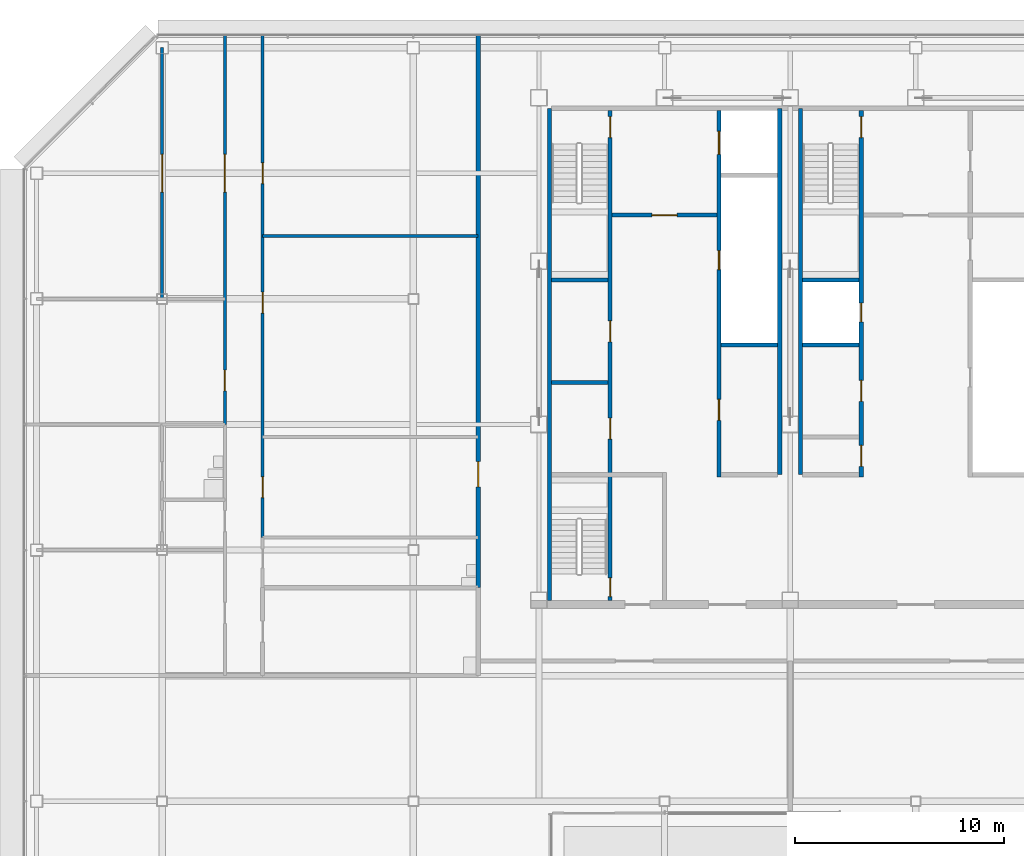
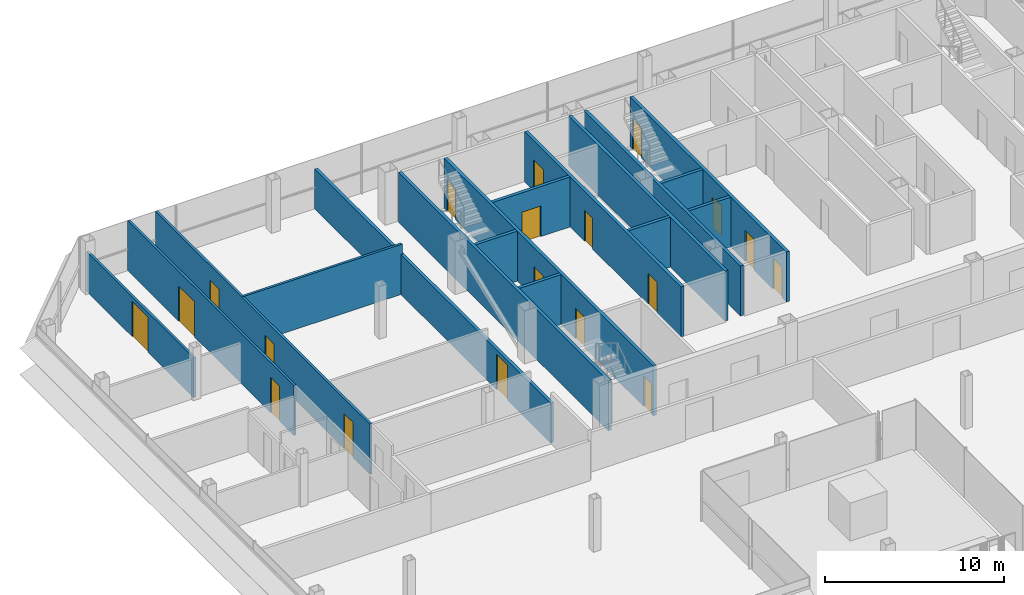
# One storey, part 21 of 27: 19 doors, 17 walls, 19 openings.
"""IFC4 building model written with IfcOpenShell, lengths in metres."""

from ifc_helpers import new_model, si_unit, direction, frame, frame_2d, origin, place, context, subcontext, project, spatial, rectangle, extrude, material, layer, layer_set, type_object, element, fill, save


model = new_model("IFC4")

# Units and contexts
model_context = context("Model", 3, precision=1e-05, world=origin(), true_north=direction((0.0, 1.0)))
body_context = subcontext(model_context, "Body", "Model", "MODEL_VIEW")
ifc_project = project(units=[si_unit("LENGTHUNIT", "METRE"), si_unit("AREAUNIT", "SQUARE_METRE"), si_unit("VOLUMEUNIT", "CUBIC_METRE"), si_unit("PLANEANGLEUNIT", "RADIAN"), si_unit("MASSUNIT", "GRAM", prefix="KILO")], contexts=[model_context])

# Site, building, storey
site_placement = place(None, origin())
site = spatial("IfcSite", under=ifc_project, at=site_placement, CompositionType="ELEMENT")
building_placement = place(site_placement, origin())
building = spatial("IfcBuilding", under=site, at=building_placement, Name="Sorahane Residences", CompositionType="ELEMENT")
storey_placement = place(building_placement, frame((0.0, 0.0, 298.0)))
storey = spatial("IfcBuildingStorey", under=building, at=storey_placement, Name="L70", CompositionType="ELEMENT", Elevation=298.0)

# Walls
ifc_material_1 = material(Name="Concrete C30", Category="concrete")
ifc_layer_1 = layer(ifc_material_1, 0.199951171875)
ifc_layer_set_1 = layer_set([ifc_layer_1], Name="Core face wall 200 EI 180")
wall_type_1 = type_object("IfcWallType", Name="Core face wall 200 EI 180", PredefinedType="SOLIDWALL", material=ifc_layer_set_1)
wall_1_placement = place(storey_placement, frame((6.5, 21.60009765625, 0.0), z_axis=(0.0, 0.0, 1.0), x_axis=(0.0, 1.0, 0.0)))
element("IfcWall", 1, at=wall_1_placement, inside=storey, type_object=wall_type_1, Name="L70 core face wall", PredefinedType="SOLIDWALL", context=body_context, shape_type="SweptSolid", body=[
    extrude(rectangle(XDim=23.5, YDim=0.199951171875, at=frame_2d((11.75, 0.0))), origin(), (0.0, 0.0, 1.0), 3.419921875),
])
for number, where, z_axis, x_axis, name in (
    (2, (17.5, 27.60009765625, 0.0), (0.0, 0.0, 1.0), (0.0, 1.0, 0.0), "L70 core face wall"),
    (3, (18.5, 27.60009765625, 0.0), (0.0, 0.0, 1.0), (0.0, 1.0, 0.0), "L70 core face wall"),
):
    element("IfcWall", number, at=place(storey_placement, frame(where, z_axis=z_axis, x_axis=x_axis)), inside=storey, type_object=wall_type_1, Name=name, PredefinedType="SOLIDWALL", context=body_context, shape_type="SweptSolid", body=[
        extrude(rectangle(XDim=17.5, YDim=0.199951171875, at=frame_2d((8.75, 0.0))), origin(), (0.0, 0.0, 1.0), 3.419921875),
    ])

# Wall, opening, door
ifc_material_2 = material(Name="Concrete blockwork C20 wall", Category="masonry")
ifc_layer_2 = layer(ifc_material_2, 0.199951171875)
ifc_layer_set_2 = layer_set([ifc_layer_2], Name="Corridor wall 200 EI 120")
wall_type_2 = type_object("IfcWallType", Name="Corridor wall 200 EI 120", PredefinedType="SOLIDWALL", material=ifc_layer_set_2)
wall_2_placement = place(storey_placement, frame((3.10009765625, 22.199951171875, 0.0), z_axis=(0.0, 0.0, 1.0), x_axis=(0.0, 1.0, 0.0)))
wall_2 = element("IfcWall", 4, at=wall_2_placement, inside=storey, type_object=wall_type_2, Name="L70 corridor wall", PredefinedType="SOLIDWALL", context=body_context, shape_type="SweptSolid", body=[
    extrude(rectangle(XDim=26.400146484375, YDim=0.199951171875, at=frame_2d((13.2001953125, 0.0))), origin(), (0.0, 0.0, 1.0), 2.719970703125),
])
opening_1_placement = place(wall_2_placement, frame((4.820068359375, 0.0, 0.0)))
opening_1 = element("IfcOpeningElement", 5, at=opening_1_placement, cuts=wall_2, Name="Opening L70-13", PredefinedType="OPENING", context=body_context, shape_type="SweptSolid", body=[
    extrude(rectangle(XDim=1.199951171875, YDim=2.39990234375, at=frame_2d((0.60009765625, 1.199951171875))), frame((0.0, 0.10986328125, 0.0), z_axis=(0.0, -1.0, 0.0), x_axis=(1.0, 0.0, 0.0)), (0.0, 0.0, 1.0), 0.219970703125),
])
ifc_material_3 = material(Name="Timber veneered fire door", Category="wood")
door_type_1 = type_object("IfcDoorType", Name="Flat entrance door 1200x2400 FD60", OperationType="NOTDEFINED", PredefinedType="DOOR", material=ifc_material_3)
door_1_placement = place(opening_1_placement, origin())
door_1 = element("IfcDoor", 6, at=door_1_placement, inside=storey, type_object=door_type_1, Name="Flat entrance door L70-13", OperationType="SINGLE_SWING_RIGHT", OverallHeight=2.39990234375, OverallWidth=1.199951171875, PredefinedType="DOOR", context=body_context, shape_type="SweptSolid", body=[
    extrude(rectangle(XDim=1.199951171875, YDim=2.39990234375, at=frame_2d((0.60009765625, 1.199951171875))), frame((0.0, 0.02490234375, 0.0), z_axis=(0.0, -1.0, 0.0), x_axis=(1.0, 0.0, 0.0)), (0.0, 0.0, 1.0), 0.050048828125),
])
fill(opening_1, door_1)

ifc_material_4 = material(Name="Concrete C30", Category="concrete")
ifc_layer_3 = layer(ifc_material_4, 0.199951171875)
ifc_layer_set_3 = layer_set([ifc_layer_3], Name="Front room wall 200 EI 120")
wall_type_3 = type_object("IfcWallType", Name="Front room wall 200 EI 120", PredefinedType="PARTITIONING", material=ifc_layer_set_3)
wall_3_placement = place(storey_placement, frame((9.5, 40.0, 0.0), z_axis=(0.0, 0.0, 1.0), x_axis=(1.0, 0.0, 0.0)))
wall_3 = element("IfcWall", 7, at=wall_3_placement, inside=storey, type_object=wall_type_3, Name="L70 front room wall", PredefinedType="PARTITIONING", context=body_context, shape_type="SweptSolid", body=[
    extrude(rectangle(XDim=5.0, YDim=0.199951171875, at=frame_2d((2.5, 0.0))), origin(), (0.0, 0.0, 1.0), 3.419921875),
])
opening_2_placement = place(wall_3_placement, frame((1.89990234375, 0.0, 0.0)))
opening_2 = element("IfcOpeningElement", 8, at=opening_2_placement, cuts=wall_3, Name="Opening L70-C06", PredefinedType="OPENING", context=body_context, shape_type="SweptSolid", body=[
    extrude(rectangle(XDim=1.199951171875, YDim=2.10009765625, at=frame_2d((0.60009765625, 1.050048828125))), frame((0.0, 0.10986328125, 0.0), z_axis=(0.0, -1.0, 0.0), x_axis=(1.0, 0.0, 0.0)), (0.0, 0.0, 1.0), 0.219970703125),
])
ifc_material_5 = material(Name="Steel", Category="steel")
door_type_2 = type_object("IfcDoorType", Name="Front room door 1200x2100 FD120", OperationType="NOTDEFINED", PredefinedType="DOOR", material=ifc_material_5)
door_2_placement = place(opening_2_placement, frame((1.199951171875, 0.0, 0.0), z_axis=(0.0, 0.0, 1.0), x_axis=(-1.0, 0.0, 0.0)))
door_2 = element("IfcDoor", 9, at=door_2_placement, inside=storey, type_object=door_type_2, Name="Front room door Firefighting lobby FF1 front room L70", OperationType="DOUBLE_DOOR_SINGLE_SWING", OverallHeight=2.10009765625, OverallWidth=1.199951171875, PredefinedType="DOOR", context=body_context, shape_type="SweptSolid", body=[
    extrude(rectangle(XDim=1.199951171875, YDim=2.10009765625, at=frame_2d((0.60009765625, 1.050048828125))), frame((0.0, 0.02490234375, 0.0), z_axis=(0.0, -1.0, 0.0), x_axis=(1.0, 0.0, 0.0)), (0.0, 0.0, 1.0), 0.050048828125),
])
fill(opening_2, door_2)

# Wall, openings, doors
ifc_material_6 = material(Name="Concrete C30", Category="concrete")
ifc_layer_4 = layer(ifc_material_6, 0.199951171875)
ifc_layer_set_4 = layer_set([ifc_layer_4], Name="Lift shaft wall 200 EI 120")
wall_type_4 = type_object("IfcWallType", Name="Lift shaft wall 200 EI 120", PredefinedType="SOLIDWALL", material=ifc_layer_set_4)
wall_4_placement = place(storey_placement, frame((14.60009765625, 27.5, 0.0), z_axis=(0.0, 0.0, 1.0), x_axis=(0.0, 1.0, 0.0)))
wall_4 = element("IfcWall", 10, at=wall_4_placement, inside=storey, type_object=wall_type_4, Name="L70 lift shaft wall", PredefinedType="SOLIDWALL", context=body_context, shape_type="SweptSolid", body=[
    extrude(rectangle(XDim=17.5, YDim=0.199951171875, at=frame_2d((8.75, 0.0))), origin(), (0.0, 0.0, 1.0), 3.419921875),
])
opening_3_placement = place(wall_4_placement, frame((15.39990234375, 0.0, 0.0)))
opening_3 = element("IfcOpeningElement", 11, at=opening_3_placement, cuts=wall_4, Name="Opening L70-C15", PredefinedType="OPENING", context=body_context, shape_type="SweptSolid", body=[
    extrude(rectangle(XDim=1.10009765625, YDim=2.10009765625, at=frame_2d((0.550048828125, 1.050048828125))), frame((0.0, 0.10986328125, 0.0), z_axis=(0.0, -1.0, 0.0), x_axis=(1.0, 0.0, 0.0)), (0.0, 0.0, 1.0), 0.219970703125),
])
opening_4_placement = place(wall_4_placement, frame((2.699951171875, 0.0, 0.0)))
opening_4 = element("IfcOpeningElement", 12, at=opening_4_placement, cuts=wall_4, Name="Opening L70-C18", PredefinedType="OPENING", context=body_context, shape_type="SweptSolid", body=[
    extrude(rectangle(XDim=1.0, YDim=2.10009765625, at=frame_2d((0.5, 1.050048828125))), frame((0.0, 0.10986328125, 0.0), z_axis=(0.0, -1.0, 0.0), x_axis=(1.0, 0.0, 0.0)), (0.0, 0.0, 1.0), 0.219970703125),
])
opening_5_placement = place(wall_4_placement, frame((9.89990234375, 0.0, 0.0)))
opening_5 = element("IfcOpeningElement", 13, at=opening_5_placement, cuts=wall_4, Name="Opening L70-C26", PredefinedType="OPENING", context=body_context, shape_type="SweptSolid", body=[
    extrude(rectangle(XDim=0.89990234375, YDim=2.10009765625, at=frame_2d((0.449951171875, 1.050048828125))), frame((0.0, 0.10986328125, 0.0), z_axis=(0.0, -1.0, 0.0), x_axis=(1.0, 0.0, 0.0)), (0.0, 0.0, 1.0), 0.219970703125),
])
ifc_material_7 = material(Name="Aluminium and stainless steel", Category="steel")
door_type_3 = type_object("IfcDoorType", Name="Lift landing door 1100x2100 E 60", OperationType="NOTDEFINED", PredefinedType="DOOR", material=ifc_material_7)
door_3_placement = place(opening_3_placement, origin())
door_3 = element("IfcDoor", 14, at=door_3_placement, inside=storey, type_object=door_type_3, Name="Lift landing door FF1 L70", OperationType="DOUBLE_DOOR_SLIDING", OverallHeight=2.10009765625, OverallWidth=1.10009765625, PredefinedType="DOOR", context=body_context, shape_type="SweptSolid", body=[
    extrude(rectangle(XDim=1.10009765625, YDim=2.10009765625, at=frame_2d((0.550048828125, 1.050048828125))), frame((0.0, 0.02490234375, 0.0), z_axis=(0.0, -1.0, 0.0), x_axis=(1.0, 0.0, 0.0)), (0.0, 0.0, 1.0), 0.050048828125),
])
fill(opening_3, door_3)
ifc_material_8 = material(Name="Steel", Category="steel")
door_type_4 = type_object("IfcDoorType", Name="Riser door 900x2100 FD120", OperationType="NOTDEFINED", PredefinedType="DOOR", material=ifc_material_8)
door_4_placement = place(opening_5_placement, origin())
door_4 = element("IfcDoor", 15, at=door_4_placement, inside=storey, type_object=door_type_4, Name="Riser door R1 L70", OperationType="SINGLE_SWING_LEFT", OverallHeight=2.10009765625, OverallWidth=0.89990234375, PredefinedType="DOOR", context=body_context, shape_type="SweptSolid", body=[
    extrude(rectangle(XDim=0.89990234375, YDim=2.10009765625, at=frame_2d((0.449951171875, 1.050048828125))), frame((0.0, 0.02490234375, 0.0), z_axis=(0.0, -1.0, 0.0), x_axis=(1.0, 0.0, 0.0)), (0.0, 0.0, 1.0), 0.050048828125),
])
fill(opening_5, door_4)
ifc_material_9 = material(Name="Steel", Category="steel")
door_type_5 = type_object("IfcDoorType", Name="Service room door 1000x2100 FD60", OperationType="NOTDEFINED", PredefinedType="DOOR", material=ifc_material_9)
door_5_placement = place(opening_4_placement, frame((1.0, 0.0, 0.0), z_axis=(0.0, 0.0, 1.0), x_axis=(-1.0, 0.0, 0.0)))
door_5 = element("IfcDoor", 16, at=door_5_placement, inside=storey, type_object=door_type_5, Name="Service room door Library L70", OperationType="SINGLE_SWING_RIGHT", OverallHeight=2.10009765625, OverallWidth=1.0, PredefinedType="DOOR", context=body_context, shape_type="SweptSolid", body=[
    extrude(rectangle(XDim=1.0, YDim=2.10009765625, at=frame_2d((0.5, 1.050048828125))), frame((0.0, 0.02490234375, 0.0), z_axis=(0.0, -1.0, 0.0), x_axis=(1.0, 0.0, 0.0)), (0.0, 0.0, 1.0), 0.050048828125),
])
fill(opening_4, door_5)

# Wall, opening, door
ifc_material_10 = material(Name="Gypsum board partition on steel studs", Category="steel")
ifc_layer_5 = layer(ifc_material_10, 0.14990234375)
ifc_layer_set_5 = layer_set([ifc_layer_5], Name="Partition 150 EI 90")
wall_type_5 = type_object("IfcWallType", Name="Partition 150 EI 90", PredefinedType="PARTITIONING", material=ifc_layer_set_5)
wall_5_placement = place(storey_placement, frame((-12.0, 36.0, 0.0), z_axis=(0.0, 0.0, 1.0), x_axis=(0.0, 1.0, 0.0)))
wall_5 = element("IfcWall", 17, at=wall_5_placement, inside=storey, type_object=wall_type_5, Name="L70 partition", PredefinedType="PARTITIONING", context=body_context, shape_type="SweptSolid", body=[
    extrude(rectangle(XDim=12.0, YDim=0.14990234375, at=frame_2d((6.0, 0.0))), origin(), (0.0, 0.0, 1.0), 2.719970703125),
])
opening_6_placement = place(wall_5_placement, frame((5.10009765625, 0.0, 0.0)))
opening_6 = element("IfcOpeningElement", 18, at=opening_6_placement, cuts=wall_5, Name="Opening L70-12", PredefinedType="OPENING", context=body_context, shape_type="SweptSolid", body=[
    extrude(rectangle(XDim=1.800048828125, YDim=2.39990234375, at=frame_2d((0.89990234375, 1.199951171875))), frame((0.0, 0.0849609375, 0.0), z_axis=(0.0, -1.0, 0.0), x_axis=(1.0, 0.0, 0.0)), (0.0, 0.0, 1.0), 0.169921875),
])
ifc_material_11 = material(Name="Timber veneered fire door", Category="wood")
door_type_6 = type_object("IfcDoorType", Name="Double door 1800x2400 FD30", OperationType="NOTDEFINED", PredefinedType="DOOR", material=ifc_material_11)
door_6_placement = place(opening_6_placement, origin())
door_6 = element("IfcDoor", 19, at=door_6_placement, inside=storey, type_object=door_type_6, Name="Double door L70-12", OperationType="SINGLE_SWING_RIGHT", OverallHeight=2.39990234375, OverallWidth=1.800048828125, PredefinedType="DOOR", context=body_context, shape_type="SweptSolid", body=[
    extrude(rectangle(XDim=1.800048828125, YDim=2.39990234375, at=frame_2d((0.89990234375, 1.199951171875))), frame((0.0, 0.02490234375, 0.0), z_axis=(0.0, -1.0, 0.0), x_axis=(1.0, 0.0, 0.0)), (0.0, 0.0, 1.0), 0.050048828125),
])
fill(opening_6, door_6)

# Wall, openings, doors
wall_6_placement = place(storey_placement, frame((-7.199951171875, 24.60009765625, 0.0), z_axis=(0.0, 0.0, 1.0), x_axis=(0.0, 1.0, 0.0)))
wall_6 = element("IfcWall", 20, at=wall_6_placement, inside=storey, type_object=wall_type_5, Name="L70 partition", PredefinedType="PARTITIONING", context=body_context, shape_type="SweptSolid", body=[
    extrude(rectangle(XDim=24.0, YDim=0.14990234375, at=frame_2d((12.0, 0.0))), origin(), (0.0, 0.0, 1.0), 3.419921875),
])
opening_7_placement = place(wall_6_placement, frame((1.89990234375, 0.0, 0.0)))
opening_7 = element("IfcOpeningElement", 21, at=opening_7_placement, cuts=wall_6, Name="Opening L70-01", PredefinedType="OPENING", context=body_context, shape_type="SweptSolid", body=[
    extrude(rectangle(XDim=1.0, YDim=2.39990234375, at=frame_2d((0.5, 1.199951171875))), frame((0.0, 0.0849609375, 0.0), z_axis=(0.0, -1.0, 0.0), x_axis=(1.0, 0.0, 0.0)), (0.0, 0.0, 1.0), 0.169921875),
])
opening_8_placement = place(wall_6_placement, frame((10.719970703125, 0.0, 0.0)))
opening_8 = element("IfcOpeningElement", 22, at=opening_8_placement, cuts=wall_6, Name="Opening L70-04", PredefinedType="OPENING", context=body_context, shape_type="SweptSolid", body=[
    extrude(rectangle(XDim=1.0, YDim=2.39990234375, at=frame_2d((0.5, 1.199951171875))), frame((0.0, 0.0849609375, 0.0), z_axis=(0.0, -1.0, 0.0), x_axis=(1.0, 0.0, 0.0)), (0.0, 0.0, 1.0), 0.169921875),
])
opening_9_placement = place(wall_6_placement, frame((16.89990234375, 0.0, 0.0)))
opening_9 = element("IfcOpeningElement", 23, at=opening_9_placement, cuts=wall_6, Name="Opening L70-05", PredefinedType="OPENING", context=body_context, shape_type="SweptSolid", body=[
    extrude(rectangle(XDim=1.0, YDim=2.39990234375, at=frame_2d((0.5, 1.199951171875))), frame((0.0, 0.0849609375, 0.0), z_axis=(0.0, -1.0, 0.0), x_axis=(1.0, 0.0, 0.0)), (0.0, 0.0, 1.0), 0.169921875),
])
ifc_material_12 = material(Name="Timber veneered fire door", Category="wood")
door_type_7 = type_object("IfcDoorType", Name="Room door 1000x2400 FD30", OperationType="NOTDEFINED", PredefinedType="DOOR", material=ifc_material_12)
door_7_placement = place(opening_7_placement, origin())
door_7 = element("IfcDoor", 24, at=door_7_placement, inside=storey, type_object=door_type_7, Name="Room door L70-01", OperationType="SINGLE_SWING_RIGHT", OverallHeight=2.39990234375, OverallWidth=1.0, PredefinedType="DOOR", context=body_context, shape_type="SweptSolid", body=[
    extrude(rectangle(XDim=1.0, YDim=2.39990234375, at=frame_2d((0.5, 1.199951171875))), frame((0.0, 0.02490234375, 0.0), z_axis=(0.0, -1.0, 0.0), x_axis=(1.0, 0.0, 0.0)), (0.0, 0.0, 1.0), 0.050048828125),
])
fill(opening_7, door_7)
door_8_placement = place(opening_8_placement, frame((1.0, 0.0, 0.0), z_axis=(0.0, 0.0, 1.0), x_axis=(-1.0, 0.0, 0.0)))
door_8 = element("IfcDoor", 25, at=door_8_placement, inside=storey, type_object=door_type_7, Name="Room door L70-04", OperationType="SINGLE_SWING_LEFT", OverallHeight=2.39990234375, OverallWidth=1.0, PredefinedType="DOOR", context=body_context, shape_type="SweptSolid", body=[
    extrude(rectangle(XDim=1.0, YDim=2.39990234375, at=frame_2d((0.5, 1.199951171875))), frame((0.0, 0.02490234375, 0.0), z_axis=(0.0, -1.0, 0.0), x_axis=(1.0, 0.0, 0.0)), (0.0, 0.0, 1.0), 0.050048828125),
])
fill(opening_8, door_8)
door_9_placement = place(opening_9_placement, frame((1.0, 0.0, 0.0), z_axis=(0.0, 0.0, 1.0), x_axis=(-1.0, 0.0, 0.0)))
door_9 = element("IfcDoor", 26, at=door_9_placement, inside=storey, type_object=door_type_7, Name="Room door L70-05", OperationType="SINGLE_SWING_RIGHT", OverallHeight=2.39990234375, OverallWidth=1.0, PredefinedType="DOOR", context=body_context, shape_type="SweptSolid", body=[
    extrude(rectangle(XDim=1.0, YDim=2.39990234375, at=frame_2d((0.5, 1.199951171875))), frame((0.0, 0.02490234375, 0.0), z_axis=(0.0, -1.0, 0.0), x_axis=(1.0, 0.0, 0.0)), (0.0, 0.0, 1.0), 0.050048828125),
])
fill(opening_9, door_9)

wall_7_placement = place(storey_placement, frame((-9.0, 30.0, 0.0), z_axis=(0.0, 0.0, 1.0), x_axis=(0.0, 1.0, 0.0)))
wall_7 = element("IfcWall", 27, at=wall_7_placement, inside=storey, type_object=wall_type_5, Name="L70 partition", PredefinedType="PARTITIONING", context=body_context, shape_type="SweptSolid", body=[
    extrude(rectangle(XDim=18.60009765625, YDim=0.14990234375, at=frame_2d((9.300048828125, 0.0))), origin(), (0.0, 0.0, 1.0), 3.419921875),
])
opening_10_placement = place(wall_7_placement, frame((1.60009765625, 0.0, 0.0)))
opening_10 = element("IfcOpeningElement", 28, at=opening_10_placement, cuts=wall_7, Name="Opening L70-08", PredefinedType="OPENING", context=body_context, shape_type="SweptSolid", body=[
    extrude(rectangle(XDim=1.0, YDim=2.39990234375, at=frame_2d((0.5, 1.199951171875))), frame((0.0, 0.0849609375, 0.0), z_axis=(0.0, -1.0, 0.0), x_axis=(1.0, 0.0, 0.0)), (0.0, 0.0, 1.0), 0.169921875),
])
opening_11_placement = place(wall_7_placement, frame((11.10009765625, 0.0, 0.0)))
opening_11 = element("IfcOpeningElement", 29, at=opening_11_placement, cuts=wall_7, Name="Opening L70-09", PredefinedType="OPENING", context=body_context, shape_type="SweptSolid", body=[
    extrude(rectangle(XDim=1.800048828125, YDim=2.39990234375, at=frame_2d((0.89990234375, 1.199951171875))), frame((0.0, 0.0849609375, 0.0), z_axis=(0.0, -1.0, 0.0), x_axis=(1.0, 0.0, 0.0)), (0.0, 0.0, 1.0), 0.169921875),
])
door_10_placement = place(opening_11_placement, origin())
door_10 = element("IfcDoor", 30, at=door_10_placement, inside=storey, type_object=door_type_6, Name="Double door L70-09", OperationType="SINGLE_SWING_LEFT", OverallHeight=2.39990234375, OverallWidth=1.800048828125, PredefinedType="DOOR", context=body_context, shape_type="SweptSolid", body=[
    extrude(rectangle(XDim=1.800048828125, YDim=2.39990234375, at=frame_2d((0.89990234375, 1.199951171875))), frame((0.0, 0.02490234375, 0.0), z_axis=(0.0, -1.0, 0.0), x_axis=(1.0, 0.0, 0.0)), (0.0, 0.0, 1.0), 0.050048828125),
])
fill(opening_11, door_10)
door_11_placement = place(opening_10_placement, origin())
door_11 = element("IfcDoor", 31, at=door_11_placement, inside=storey, type_object=door_type_7, Name="Room door L70-08", OperationType="SINGLE_SWING_LEFT", OverallHeight=2.39990234375, OverallWidth=1.0, PredefinedType="DOOR", context=body_context, shape_type="SweptSolid", body=[
    extrude(rectangle(XDim=1.0, YDim=2.39990234375, at=frame_2d((0.5, 1.199951171875))), frame((0.0, 0.02490234375, 0.0), z_axis=(0.0, -1.0, 0.0), x_axis=(1.0, 0.0, 0.0)), (0.0, 0.0, 1.0), 0.050048828125),
])
fill(opening_10, door_11)

# Walls
wall_8_placement = place(storey_placement, frame((-7.199951171875, 39.0, 0.0), z_axis=(0.0, 0.0, 1.0), x_axis=(1.0, 0.0, 0.0)))
element("IfcWall", 32, at=wall_8_placement, inside=storey, type_object=wall_type_5, Name="L70 partition", PredefinedType="PARTITIONING", context=body_context, shape_type="SweptSolid", body=[
    extrude(rectangle(XDim=10.300048828125, YDim=0.14990234375, at=frame_2d((5.14990234375, 0.0))), origin(), (0.0, 0.0, 1.0), 3.419921875),
])
ifc_material_13 = material(Name="Concrete C30", Category="concrete")
ifc_layer_6 = layer(ifc_material_13, 0.199951171875)
ifc_layer_set_6 = layer_set([ifc_layer_6], Name="Riser shaft wall 200 EI 120")
wall_type_6 = type_object("IfcWallType", Name="Riser shaft wall 200 EI 120", PredefinedType="SOLIDWALL", material=ifc_layer_set_6)
for number, where, z_axis, x_axis, name in (
    (33, (14.699951171875, 33.800048828125, 0.0), (0.0, 0.0, 1.0), (1.0, 0.0, 0.0), "L70 riser wall"),
    (34, (18.60009765625, 33.800048828125, 0.0), (0.0, 0.0, 1.0), (1.0, 0.0, 0.0), "L70 riser wall"),
):
    element("IfcWall", number, at=place(storey_placement, frame(where, z_axis=z_axis, x_axis=x_axis)), inside=storey, type_object=wall_type_6, Name=name, PredefinedType="SOLIDWALL", context=body_context, shape_type="SweptSolid", body=[
        extrude(rectangle(XDim=2.699951171875, YDim=0.199951171875, at=frame_2d((1.35009765625, 0.0))), origin(), (0.0, 0.0, 1.0), 3.419921875),
    ])
ifc_material_14 = material(Name="Concrete C30", Category="concrete")
ifc_layer_7 = layer(ifc_material_14, 0.199951171875)
ifc_layer_set_7 = layer_set([ifc_layer_7], Name="Service room partition 200 EI 60")
wall_type_7 = type_object("IfcWallType", Name="Service room partition 200 EI 60", PredefinedType="PARTITIONING", material=ifc_layer_set_7)
wall_9_placement = place(storey_placement, frame((6.60009765625, 32.0, 0.0), z_axis=(0.0, 0.0, 1.0), x_axis=(1.0, 0.0, 0.0)))
element("IfcWall", 35, at=wall_9_placement, inside=storey, type_object=wall_type_7, Name="L70 service room wall", PredefinedType="PARTITIONING", context=body_context, shape_type="SweptSolid", body=[
    extrude(rectangle(XDim=2.699951171875, YDim=0.199951171875, at=frame_2d((1.35009765625, 0.0))), origin(), (0.0, 0.0, 1.0), 3.419921875),
])

# Wall, openings, doors
ifc_material_15 = material(Name="Concrete C30", Category="concrete")
ifc_layer_8 = layer(ifc_material_15, 0.199951171875)
ifc_layer_set_8 = layer_set([ifc_layer_8], Name="Stair enclosure wall 200 EI 120")
wall_type_8 = type_object("IfcWallType", Name="Stair enclosure wall 200 EI 120", PredefinedType="SOLIDWALL", material=ifc_layer_set_8)
wall_10_placement = place(storey_placement, frame((21.39990234375, 27.5, 0.0), z_axis=(0.0, 0.0, 1.0), x_axis=(0.0, 1.0, 0.0)))
wall_10 = element("IfcWall", 36, at=wall_10_placement, inside=storey, type_object=wall_type_8, Name="L70 stair enclosure wall", PredefinedType="SOLIDWALL", context=body_context, shape_type="SweptSolid", body=[
    extrude(rectangle(XDim=17.5, YDim=0.199951171875, at=frame_2d((8.75, 0.0))), origin(), (0.0, 0.0, 1.0), 3.419921875),
])
opening_12_placement = place(wall_10_placement, frame((0.5, 0.0, 0.0)))
opening_12 = element("IfcOpeningElement", 37, at=opening_12_placement, cuts=wall_10, Name="Opening L70-C16", PredefinedType="OPENING", context=body_context, shape_type="SweptSolid", body=[
    extrude(rectangle(XDim=1.0, YDim=2.10009765625, at=frame_2d((0.5, 1.050048828125))), frame((0.0, 0.10986328125, 0.0), z_axis=(0.0, -1.0, 0.0), x_axis=(1.0, 0.0, 0.0)), (0.0, 0.0, 1.0), 0.219970703125),
])
opening_13_placement = place(wall_10_placement, frame((3.60009765625, 0.0, 0.0)))
opening_13 = element("IfcOpeningElement", 38, at=opening_13_placement, cuts=wall_10, Name="Opening L70-C17", PredefinedType="OPENING", context=body_context, shape_type="SweptSolid", body=[
    extrude(rectangle(XDim=1.0, YDim=2.10009765625, at=frame_2d((0.5, 1.050048828125))), frame((0.0, 0.10986328125, 0.0), z_axis=(0.0, -1.0, 0.0), x_axis=(1.0, 0.0, 0.0)), (0.0, 0.0, 1.0), 0.219970703125),
])
opening_14_placement = place(wall_10_placement, frame((16.199951171875, 0.0, 0.0)))
opening_14 = element("IfcOpeningElement", 39, at=opening_14_placement, cuts=wall_10, Name="Opening L70-C23", PredefinedType="OPENING", context=body_context, shape_type="SweptSolid", body=[
    extrude(rectangle(XDim=1.0, YDim=2.10009765625, at=frame_2d((0.5, 1.050048828125))), frame((0.0, 0.10986328125, 0.0), z_axis=(0.0, -1.0, 0.0), x_axis=(1.0, 0.0, 0.0)), (0.0, 0.0, 1.0), 0.219970703125),
])
opening_15_placement = place(wall_10_placement, frame((7.39990234375, 0.0, 0.0)))
opening_15 = element("IfcOpeningElement", 40, at=opening_15_placement, cuts=wall_10, Name="Opening L70-C28", PredefinedType="OPENING", context=body_context, shape_type="SweptSolid", body=[
    extrude(rectangle(XDim=0.89990234375, YDim=2.10009765625, at=frame_2d((0.449951171875, 1.050048828125))), frame((0.0, 0.10986328125, 0.0), z_axis=(0.0, -1.0, 0.0), x_axis=(1.0, 0.0, 0.0)), (0.0, 0.0, 1.0), 0.219970703125),
])
door_12_placement = place(opening_15_placement, frame((0.89990234375, 0.0, 0.0), z_axis=(0.0, 0.0, 1.0), x_axis=(-1.0, 0.0, 0.0)))
door_12 = element("IfcDoor", 41, at=door_12_placement, inside=storey, type_object=door_type_4, Name="Riser door R3 L70", OperationType="SINGLE_SWING_LEFT", OverallHeight=2.10009765625, OverallWidth=0.89990234375, PredefinedType="DOOR", context=body_context, shape_type="SweptSolid", body=[
    extrude(rectangle(XDim=0.89990234375, YDim=2.10009765625, at=frame_2d((0.449951171875, 1.050048828125))), frame((0.0, 0.02490234375, 0.0), z_axis=(0.0, -1.0, 0.0), x_axis=(1.0, 0.0, 0.0)), (0.0, 0.0, 1.0), 0.050048828125),
])
fill(opening_15, door_12)
door_13_placement = place(opening_12_placement, origin())
door_13 = element("IfcDoor", 42, at=door_13_placement, inside=storey, type_object=door_type_5, Name="Service room door Coat store L70", OperationType="SINGLE_SWING_RIGHT", OverallHeight=2.10009765625, OverallWidth=1.0, PredefinedType="DOOR", context=body_context, shape_type="SweptSolid", body=[
    extrude(rectangle(XDim=1.0, YDim=2.10009765625, at=frame_2d((0.5, 1.050048828125))), frame((0.0, 0.02490234375, 0.0), z_axis=(0.0, -1.0, 0.0), x_axis=(1.0, 0.0, 0.0)), (0.0, 0.0, 1.0), 0.050048828125),
])
fill(opening_12, door_13)
door_14_placement = place(opening_13_placement, origin())
door_14 = element("IfcDoor", 43, at=door_14_placement, inside=storey, type_object=door_type_5, Name="Service room door Reading room L70", OperationType="SINGLE_SWING_LEFT", OverallHeight=2.10009765625, OverallWidth=1.0, PredefinedType="DOOR", context=body_context, shape_type="SweptSolid", body=[
    extrude(rectangle(XDim=1.0, YDim=2.10009765625, at=frame_2d((0.5, 1.050048828125))), frame((0.0, 0.02490234375, 0.0), z_axis=(0.0, -1.0, 0.0), x_axis=(1.0, 0.0, 0.0)), (0.0, 0.0, 1.0), 0.050048828125),
])
fill(opening_13, door_14)
ifc_material_16 = material(Name="Steel", Category="steel")
door_type_8 = type_object("IfcDoorType", Name="Stair door 1000x2100 FD120", OperationType="NOTDEFINED", PredefinedType="DOOR", material=ifc_material_16)
door_15_placement = place(opening_14_placement, origin())
door_15 = element("IfcDoor", 44, at=door_15_placement, inside=storey, type_object=door_type_8, Name="Stair door S3 L70", OperationType="SINGLE_SWING_LEFT", OverallHeight=2.10009765625, OverallWidth=1.0, PredefinedType="DOOR", context=body_context, shape_type="SweptSolid", body=[
    extrude(rectangle(XDim=1.0, YDim=2.10009765625, at=frame_2d((0.5, 1.050048828125))), frame((0.0, 0.02490234375, 0.0), z_axis=(0.0, -1.0, 0.0), x_axis=(1.0, 0.0, 0.0)), (0.0, 0.0, 1.0), 0.050048828125),
])
fill(opening_14, door_15)

wall_11_placement = place(storey_placement, frame((9.39990234375, 21.60009765625, 0.0), z_axis=(0.0, 0.0, 1.0), x_axis=(0.0, 1.0, 0.0)))
wall_11 = element("IfcWall", 45, at=wall_11_placement, inside=storey, type_object=wall_type_8, Name="L70 stair enclosure wall", PredefinedType="SOLIDWALL", context=body_context, shape_type="SweptSolid", body=[
    extrude(rectangle(XDim=23.39990234375, YDim=0.199951171875, at=frame_2d((11.699951171875, 0.0))), origin(), (0.0, 0.0, 1.0), 3.419921875),
])
opening_16_placement = place(wall_11_placement, frame((7.699951171875, 0.0, 0.0)))
opening_16 = element("IfcOpeningElement", 46, at=opening_16_placement, cuts=wall_11, Name="Opening L70-C19", PredefinedType="OPENING", context=body_context, shape_type="SweptSolid", body=[
    extrude(rectangle(XDim=1.0, YDim=2.10009765625, at=frame_2d((0.5, 1.050048828125))), frame((0.0, 0.10986328125, 0.0), z_axis=(0.0, -1.0, 0.0), x_axis=(1.0, 0.0, 0.0)), (0.0, 0.0, 1.0), 0.219970703125),
])
opening_17_placement = place(wall_11_placement, frame((12.35009765625, 0.0, 0.0)))
opening_17 = element("IfcOpeningElement", 47, at=opening_17_placement, cuts=wall_11, Name="Opening L70-C20", PredefinedType="OPENING", context=body_context, shape_type="SweptSolid", body=[
    extrude(rectangle(XDim=1.0, YDim=2.10009765625, at=frame_2d((0.5, 1.050048828125))), frame((0.0, 0.10986328125, 0.0), z_axis=(0.0, -1.0, 0.0), x_axis=(1.0, 0.0, 0.0)), (0.0, 0.0, 1.0), 0.219970703125),
])
opening_18_placement = place(wall_11_placement, frame((22.10009765625, 0.0, 0.0)))
opening_18 = element("IfcOpeningElement", 48, at=opening_18_placement, cuts=wall_11, Name="Opening L70-C21", PredefinedType="OPENING", context=body_context, shape_type="SweptSolid", body=[
    extrude(rectangle(XDim=1.0, YDim=2.10009765625, at=frame_2d((0.5, 1.050048828125))), frame((0.0, 0.10986328125, 0.0), z_axis=(0.0, -1.0, 0.0), x_axis=(1.0, 0.0, 0.0)), (0.0, 0.0, 1.0), 0.219970703125),
])
opening_19_placement = place(wall_11_placement, frame((0.175048828125, 0.0, 0.0)))
opening_19 = element("IfcOpeningElement", 49, at=opening_19_placement, cuts=wall_11, Name="Opening L70-C24", PredefinedType="OPENING", context=body_context, shape_type="SweptSolid", body=[
    extrude(rectangle(XDim=0.89990234375, YDim=2.10009765625, at=frame_2d((0.449951171875, 1.050048828125))), frame((0.0, 0.10986328125, 0.0), z_axis=(0.0, -1.0, 0.0), x_axis=(1.0, 0.0, 0.0)), (0.0, 0.0, 1.0), 0.219970703125),
])
door_16_placement = place(opening_16_placement, origin())
door_16 = element("IfcDoor", 50, at=door_16_placement, inside=storey, type_object=door_type_5, Name="Service room door Reading room L70", OperationType="SINGLE_SWING_LEFT", OverallHeight=2.10009765625, OverallWidth=1.0, PredefinedType="DOOR", context=body_context, shape_type="SweptSolid", body=[
    extrude(rectangle(XDim=1.0, YDim=2.10009765625, at=frame_2d((0.5, 1.050048828125))), frame((0.0, 0.02490234375, 0.0), z_axis=(0.0, -1.0, 0.0), x_axis=(1.0, 0.0, 0.0)), (0.0, 0.0, 1.0), 0.050048828125),
])
fill(opening_16, door_16)
door_17_placement = place(opening_17_placement, origin())
door_17 = element("IfcDoor", 51, at=door_17_placement, inside=storey, type_object=door_type_5, Name="Service room door Tea room L70", OperationType="SINGLE_SWING_LEFT", OverallHeight=2.10009765625, OverallWidth=1.0, PredefinedType="DOOR", context=body_context, shape_type="SweptSolid", body=[
    extrude(rectangle(XDim=1.0, YDim=2.10009765625, at=frame_2d((0.5, 1.050048828125))), frame((0.0, 0.02490234375, 0.0), z_axis=(0.0, -1.0, 0.0), x_axis=(1.0, 0.0, 0.0)), (0.0, 0.0, 1.0), 0.050048828125),
])
fill(opening_17, door_17)
door_18_placement = place(opening_18_placement, origin())
door_18 = element("IfcDoor", 52, at=door_18_placement, inside=storey, type_object=door_type_8, Name="Stair door S1 L70", OperationType="SINGLE_SWING_LEFT", OverallHeight=2.10009765625, OverallWidth=1.0, PredefinedType="DOOR", context=body_context, shape_type="SweptSolid", body=[
    extrude(rectangle(XDim=1.0, YDim=2.10009765625, at=frame_2d((0.5, 1.050048828125))), frame((0.0, 0.02490234375, 0.0), z_axis=(0.0, -1.0, 0.0), x_axis=(1.0, 0.0, 0.0)), (0.0, 0.0, 1.0), 0.050048828125),
])
fill(opening_18, door_18)
ifc_material_17 = material(Name="Steel", Category="steel")
door_type_9 = type_object("IfcDoorType", Name="Stair door 900x2100 FD120", OperationType="NOTDEFINED", PredefinedType="DOOR", material=ifc_material_17)
door_19_placement = place(opening_19_placement, origin())
door_19 = element("IfcDoor", 53, at=door_19_placement, inside=storey, type_object=door_type_9, Name="Stair door S4 L70", OperationType="SINGLE_SWING_LEFT", OverallHeight=2.10009765625, OverallWidth=0.89990234375, PredefinedType="DOOR", context=body_context, shape_type="SweptSolid", body=[
    extrude(rectangle(XDim=0.89990234375, YDim=2.10009765625, at=frame_2d((0.449951171875, 1.050048828125))), frame((0.0, 0.02490234375, 0.0), z_axis=(0.0, -1.0, 0.0), x_axis=(1.0, 0.0, 0.0)), (0.0, 0.0, 1.0), 0.050048828125),
])
fill(opening_19, door_19)

# Walls
for number, where, z_axis, x_axis, name in (
    (54, (18.60009765625, 36.89990234375, 0.0), (0.0, 0.0, 1.0), (1.0, 0.0, 0.0), "L70 stair enclosure wall"),
    (55, (6.60009765625, 36.89990234375, 0.0), (0.0, 0.0, 1.0), (1.0, 0.0, 0.0), "L70 stair enclosure wall"),
):
    element("IfcWall", number, at=place(storey_placement, frame(where, z_axis=z_axis, x_axis=x_axis)), inside=storey, type_object=wall_type_8, Name=name, PredefinedType="SOLIDWALL", context=body_context, shape_type="SweptSolid", body=[
        extrude(rectangle(XDim=2.699951171875, YDim=0.199951171875, at=frame_2d((1.35009765625, 0.0))), origin(), (0.0, 0.0, 1.0), 3.419921875),
    ])

save(model, "model.ifc")
